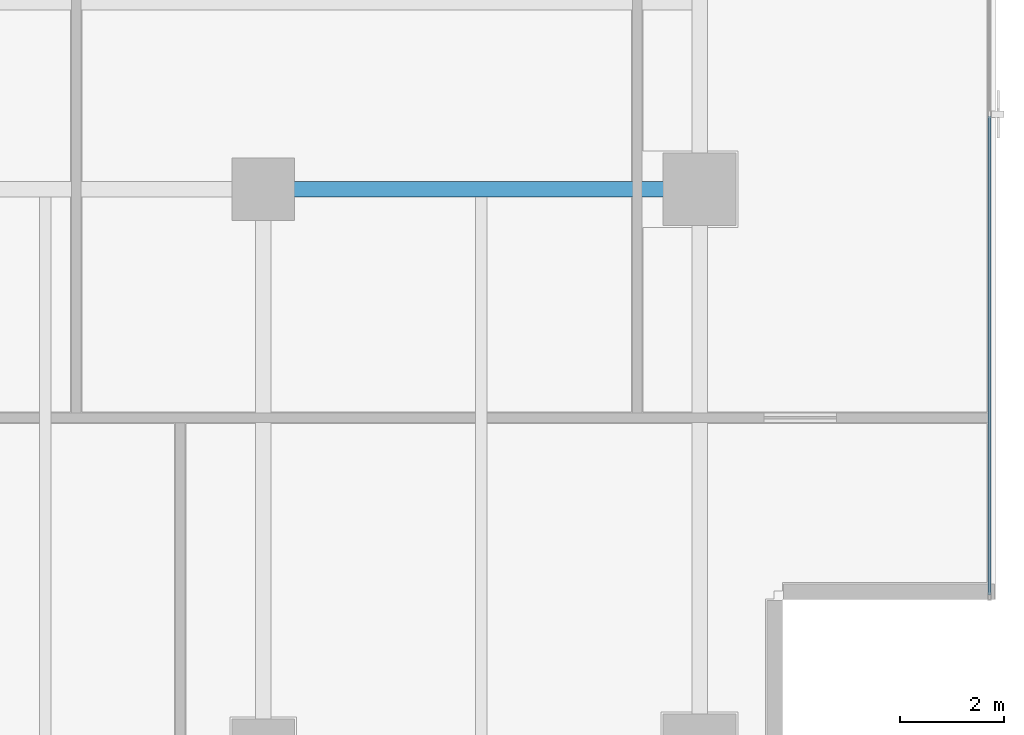
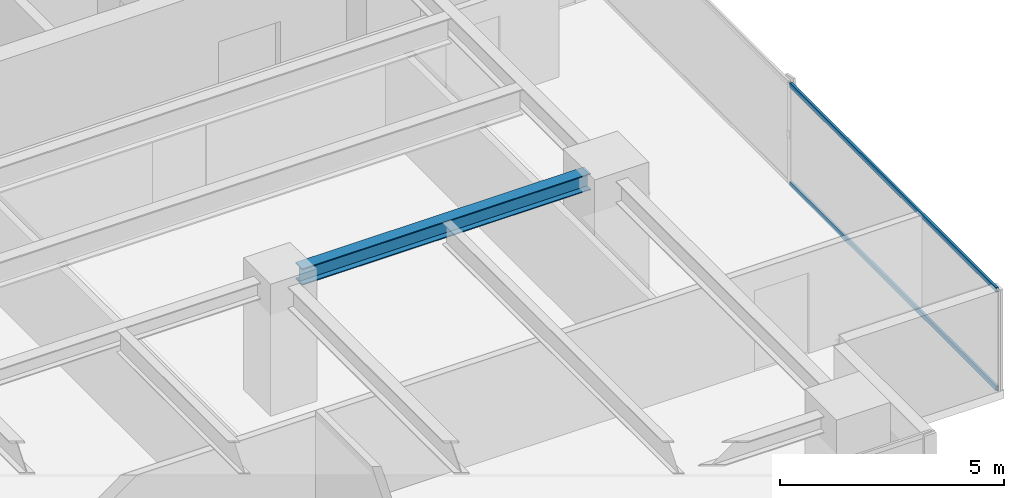
# One storey, part 12 of 26: 2 members, 1 beam, 1 element without a shape of its own.
"""IFC4 building model written with IfcOpenShell, lengths in metres."""

from ifc_helpers import new_model, si_unit, direction, frame, origin, origin_2d, place, context, subcontext, project, spatial, hollow_rectangle, i_section, extrude, source, transform, mapped, material, layer, layer_set, material_profile, profile_set, type_object, element, aggregate, save


model = new_model("IFC4")

# Units and contexts
model_context = context("Model", 3, precision=1e-05, world=origin(), true_north=direction((0.0, 1.0)))
body_context = subcontext(model_context, "Body", "Model", "MODEL_VIEW")
ifc_project = project(units=[si_unit("LENGTHUNIT", "METRE"), si_unit("AREAUNIT", "SQUARE_METRE"), si_unit("VOLUMEUNIT", "CUBIC_METRE"), si_unit("PLANEANGLEUNIT", "RADIAN"), si_unit("MASSUNIT", "GRAM", prefix="KILO")], contexts=[model_context])

# Site, building, storey
site_placement = place(None, origin())
site = spatial("IfcSite", under=ifc_project, at=site_placement, CompositionType="ELEMENT")
building_placement = place(site_placement, origin())
building = spatial("IfcBuilding", under=site, at=building_placement, Name="Sumidabori Civic Tower", CompositionType="ELEMENT")
storey_placement = place(building_placement, frame((0.0, 0.0, 264.800048828125)))
storey = spatial("IfcBuildingStorey", under=building, at=storey_placement, Name="L69", CompositionType="ELEMENT", Elevation=264.800048828125)

# Beam
ifc_material_1 = material(Name="Steel SN490", Category="steel")
ifc_material_profile_1 = material_profile(ifc_material_1, i_section(OverallWidth=0.300048828125, OverallDepth=0.449951171875, WebThickness=0.013916015625, FlangeThickness=0.02587890625, at=origin_2d()), Name="HE 450 B")
ifc_profile_set_1 = profile_set([ifc_material_profile_1], Name="Steel SN490")
beam_type = type_object("IfcBeamType", Name="BM-GIRD-450", PredefinedType="BEAM", material=ifc_profile_set_1)
shared_shape_1 = source(origin(), body_context, "Body", "SweptSolid", [
    extrude(i_section(OverallWidth=0.300048828125, OverallDepth=0.449951171875, WebThickness=0.013916015625, FlangeThickness=0.02587890625, at=origin_2d()), origin(), (0.0, 0.0, 1.0), 7.440185546875),
])
beam_placement = place(storey_placement, frame((8.8798828125, 0.0, 3.14501953125), z_axis=(1.0, 0.0, 0.0), x_axis=(0.0, 1.0, 0.0)))
element("IfcBeam", 1, at=beam_placement, inside=storey, type_object=beam_type, Name="Primary Girder L69 GX-08", PredefinedType="BEAM", context=body_context, shape_type="MappedRepresentation", body=[
    mapped(shared_shape_1, transform((0.0, 0.0, 0.0), x_axis=(1.0, 0.0, 0.0), y_axis=(0.0, 1.0, 0.0), z_axis=(0.0, 0.0, 1.0), scale=1.0)),
])

# Curtain wall, members
ifc_material_2 = material(Name="Anodised Bronze Aluminium AW-6063-T6", Category="aluminium")
ifc_layer = layer(ifc_material_2, 0.179931640625, Name="Anodised Bronze Aluminium AW-6063-T6")
ifc_layer_set = layer_set([ifc_layer], Name="Anodised Bronze Aluminium AW-6063-T6")
curtain_wall_type = type_object("IfcCurtainWallType", Name="CW-SYS-5", PredefinedType="NOTDEFINED", material=ifc_layer_set)
curtain_wall_placement = place(storey_placement, origin())
curtain_wall = element("IfcCurtainWall", 2, at=curtain_wall_placement, inside=storey, type_object=curtain_wall_type, Name="Curtain Wall CW:L69:R04", PredefinedType="NOTDEFINED")
ifc_material_profile_2 = material_profile(ifc_material_2, hollow_rectangle(XDim=0.06005859375, YDim=0.1298828125, WallThickness=0.0048828125, at=origin_2d()), Name="ALU TRANSOM 130x60")
ifc_profile_set_2 = profile_set([ifc_material_profile_2], Name="Anodised Bronze Aluminium AW-6063-T6")
member_type = type_object("IfcMemberType", Name="CW-TRN-130", PredefinedType="USERDEFINED", material=ifc_profile_set_2)
shared_shape_2 = source(origin(), body_context, "Body", "SweptSolid", [
    extrude(hollow_rectangle(XDim=0.06005859375, YDim=0.1298828125, WallThickness=0.0048828125, at=origin_2d()), origin(), (0.0, 0.0, 1.0), 9.223388671875),
])
member_1_placement = place(storey_placement, frame((22.3798828125, -7.81005859375, 0.030029296875), z_axis=(0.0, 1.0, 0.0), x_axis=(-1.0, 0.0, 0.0)))
member_1 = element("IfcMember", 3, at=member_1_placement, type_object=member_type, Name="CW-5 transom 1.1", ObjectType="TRANSOM", PredefinedType="USERDEFINED", context=body_context, shape_type="MappedRepresentation", body=[
    mapped(shared_shape_2, transform((0.0, 0.0, 0.0), x_axis=(1.0, 0.0, 0.0), y_axis=(0.0, 1.0, 0.0), z_axis=(0.0, 0.0, 1.0), scale=1.0)),
])
member_2_placement = place(storey_placement, frame((22.3798828125, -7.81005859375, 2.719970703125), z_axis=(0.0, 1.0, 0.0), x_axis=(-1.0, 0.0, 0.0)))
member_2 = element("IfcMember", 4, at=member_2_placement, type_object=member_type, Name="CW-5 transom 1.2", ObjectType="TRANSOM", PredefinedType="USERDEFINED", context=body_context, shape_type="MappedRepresentation", body=[
    mapped(shared_shape_2, transform((0.0, 0.0, 0.0), x_axis=(1.0, 0.0, 0.0), y_axis=(0.0, 1.0, 0.0), z_axis=(0.0, 0.0, 1.0), scale=1.0)),
])
aggregate(curtain_wall, [member_1, member_2])

save(model, "model.ifc")
